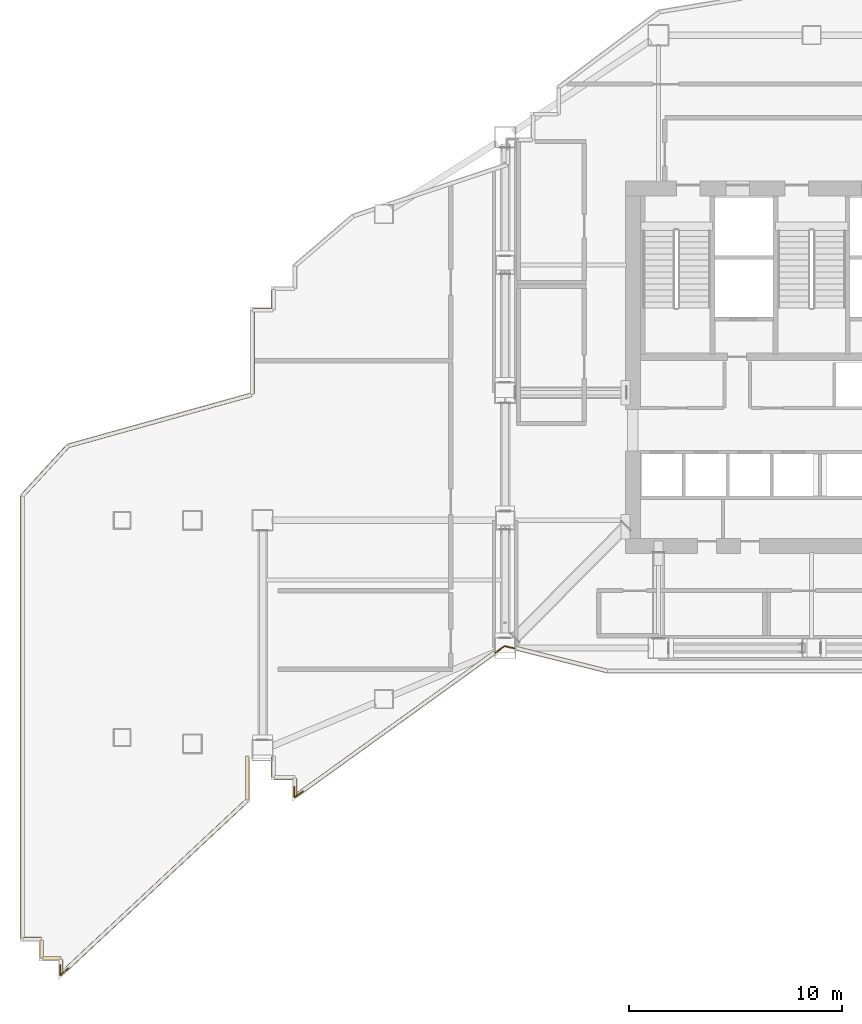
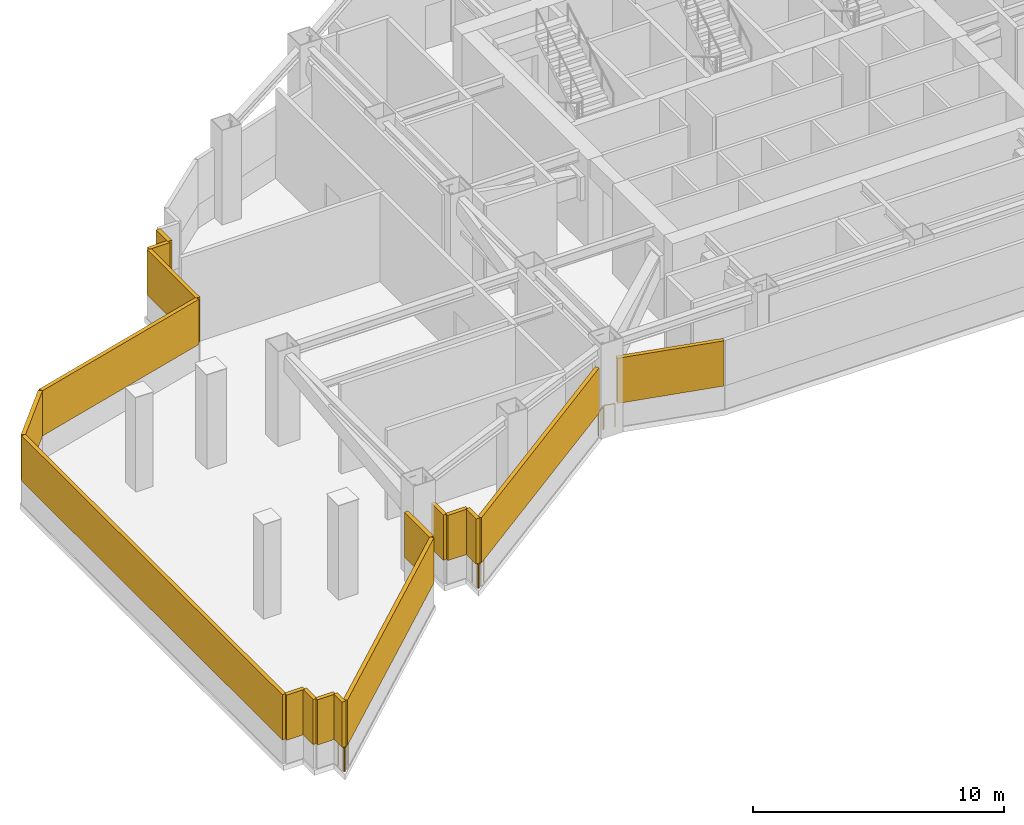
# One storey, part 18 of 24: 17 shading devices, 6 railings.
"""IFC4 building model written with IfcOpenShell, lengths in metres."""

import ifcopenshell
import ifcopenshell.guid

model = None  # the IFC model being written
_history = None  # IfcOwnerHistory: only IFC2X3 demands one
_inside = {}  # id of a spatial element -> (the spatial element, [elements in it])
_under = {}  # id of a project, library or spatial element -> (it, [spatial elements below it])
_declared = {}  # id of a project -> (the project, [libraries it declares])
_typed = {}  # id of a type object -> (the type object, [elements of that type])
_made_of = {}  # id of a material, layer set ... -> (it, [elements and type objects made of it])


def new_model(schema):
    """Start an empty IFC model of exactly this schema.

    Asked for "IFC4X3", IfcOpenShell would pick the latest addendum, in which some entities
    have other attributes; the version numbers below select the first issue.
    IFC2X3 requires an IfcOwnerHistory on every rooted entity: one is made here for all.
    """
    global model, _history
    if schema == "IFC4X3":
        model = ifcopenshell.file(schema_version=(4, 3, 0, 0))
    else:
        model = ifcopenshell.file(schema=schema)
    _inside.clear()
    _under.clear()
    _declared.clear()
    _typed.clear()
    _made_of.clear()
    _history = None
    if model.schema == "IFC2X3":
        org = make("IfcOrganization", Name="unknown")
        user = make(
            "IfcPersonAndOrganization",
            ThePerson=make("IfcPerson", FamilyName="unknown"),
            TheOrganization=org,
        )
        app = make(
            "IfcApplication",
            ApplicationDeveloper=org,
            Version="unknown",
            ApplicationFullName="unknown",
            ApplicationIdentifier="unknown",
        )
        _history = make(
            "IfcOwnerHistory",
            OwningUser=user,
            OwningApplication=app,
            ChangeAction="ADDED",
            CreationDate=0,
        )
    return model


def make(cls, **values):
    """One entity of the class cls with the attributes given. An attribute that is None is left unset."""
    return model.create_entity(
        cls, **{name: value for name, value in values.items() if value is not None}
    )


def rooted(cls, **values):
    """An entity with a GlobalId (a new one), such as an element, a storey or a relation."""
    return make(cls, GlobalId=ifcopenshell.guid.new(), OwnerHistory=_history, **values)


def si_unit(unit_type, name, prefix=None):
    """IfcSIUnit, for example si_unit("LENGTHUNIT", "METRE", prefix="MILLI")."""
    return make("IfcSIUnit", UnitType=unit_type, Prefix=prefix, Name=name)


def assignment(units):
    """IfcUnitAssignment: the units of a project."""
    return None if units is None else make("IfcUnitAssignment", Units=units)


def point(xyz):
    """IfcCartesianPoint."""
    return None if xyz is None else make("IfcCartesianPoint", Coordinates=xyz)


def direction(xyz):
    """IfcDirection."""
    return None if xyz is None else make("IfcDirection", DirectionRatios=xyz)


def frame(location, z_axis=None, x_axis=None):
    """IfcAxis2Placement3D, a coordinate frame: its origin and axes. An axis left out is left unset."""
    return make(
        "IfcAxis2Placement3D",
        Location=point(location),
        Axis=direction(z_axis),
        RefDirection=direction(x_axis),
    )


def frame_2d(location, x_axis=None):
    """IfcAxis2Placement2D, a coordinate frame in the plane: its origin and x axis."""
    return make(
        "IfcAxis2Placement2D", Location=point(location), RefDirection=direction(x_axis)
    )


def origin():
    """The frame at (0, 0, 0) with its axes left unset."""
    return frame((0.0, 0.0, 0.0))


def origin_2d():
    """The frame at (0, 0) in the plane with its x axis left unset."""
    return frame_2d((0.0, 0.0))


def place(relative_to, where):
    """IfcLocalPlacement: puts the frame where relative to a parent placement (None: the world)."""
    return make(
        "IfcLocalPlacement", PlacementRelTo=relative_to, RelativePlacement=where
    )


def context(
    kind, dimensions, precision=None, world=None, true_north=None, identifier=None
):
    """IfcGeometricRepresentationContext, for example the 3D "Model" context."""
    return make(
        "IfcGeometricRepresentationContext",
        ContextIdentifier=identifier,
        ContextType=kind,
        CoordinateSpaceDimension=dimensions,
        Precision=precision,
        WorldCoordinateSystem=world,
        TrueNorth=true_north,
    )


def subcontext(parent, identifier, kind, view, scale=None):
    """IfcGeometricRepresentationSubContext, for example "Body" below "Model"."""
    return make(
        "IfcGeometricRepresentationSubContext",
        ContextIdentifier=identifier,
        ContextType=kind,
        ParentContext=parent,
        TargetScale=scale,
        TargetView=view,
    )


def project(units=None, contexts=None):
    """IfcProject with its units and contexts."""
    return rooted(
        "IfcProject",
        Name="project",
        RepresentationContexts=contexts,
        UnitsInContext=assignment(units),
    )


def spatial(cls, under=None, at=None, **own):
    """A site, building, storey or space (cls), placed at a placement, below another one or the project."""
    s = rooted(cls, ObjectPlacement=at, **own)
    if under is not None:
        _under.setdefault(under.id(), (under, []))[1].append(s)
    return s


def profile(cls, at=None, kind="AREA", **sizes):
    """A parametric profile (cls). Its sizes go by their IFC names, for example OverallWidth=200.0."""
    return make(cls, ProfileType=kind, Position=at, **sizes)


def rectangle(**sizes):
    """IfcRectangleProfileDef."""
    return profile("IfcRectangleProfileDef", **sizes)


def circle(**sizes):
    """IfcCircleProfileDef."""
    return profile("IfcCircleProfileDef", **sizes)


def extrude(swept, where, along, depth):
    """IfcExtrudedAreaSolid: the profile swept, set in the frame where, extruded along a direction by depth."""
    return make(
        "IfcExtrudedAreaSolid",
        SweptArea=swept,
        Position=where,
        ExtrudedDirection=direction(along),
        Depth=depth,
    )


def shape(context_of_items, identifier, shape_type, items):
    """IfcShapeRepresentation: the items that make up one representation, for example the "Body"."""
    return make(
        "IfcShapeRepresentation",
        ContextOfItems=context_of_items,
        RepresentationIdentifier=identifier,
        RepresentationType=shape_type,
        Items=items,
    )


def material(Name=None, Category=None):
    """IfcMaterial."""
    return make("IfcMaterial", Name=Name, Category=Category)


def made_of(thing, what):
    """Note that an element or type object is made of a material, layer set ...; save() writes the relation."""
    if what is not None:
        _made_of.setdefault(what.id(), (what, []))[1].append(thing)
    return thing


def type_object(cls, material=None, **own):
    """A type object (cls), such as IfcWallType, which elements share."""
    return made_of(rooted(cls, **own), material)


def element(
    cls,
    number,
    at=None,
    inside=None,
    cuts=None,
    type_object=None,
    material=None,
    context=None,
    identifier="Body",
    shape_type=None,
    held_by="IfcProductDefinitionShape",
    body=None,
    shapes=None,
    **own,
):
    """One element of the class cls, such as IfcWall. Its Tag is "e" and its number.

    at: its placement. inside: the storey or other place that contains it. cuts: it is an
    opening in that element (IfcRelVoidsElement). A single representation is given by context,
    identifier, shape_type and body (its items); several are given by shapes. held_by: the class
    of the entity that holds the representations. save() writes the other relations.
    """
    e = rooted(cls, Tag="e%d" % number, ObjectPlacement=at, **own)
    if body is not None:
        shapes = [shape(context, identifier, shape_type, body)]
    if shapes is not None:
        e.Representation = make(held_by, Representations=shapes)
    if inside is not None:
        _inside.setdefault(inside.id(), (inside, []))[1].append(e)
    if cuts is not None:
        rooted(
            "IfcRelVoidsElement", RelatingBuildingElement=cuts, RelatedOpeningElement=e
        )
    if type_object is not None:
        _typed.setdefault(type_object.id(), (type_object, []))[1].append(e)
    return made_of(e, material)


def aggregate(whole, parts):
    """IfcRelAggregates: a whole, such as a stair, and the parts it consists of."""
    return rooted("IfcRelAggregates", RelatingObject=whole, RelatedObjects=parts)


def save(model, path):
    """Write the relations noted so far, then the file.

    IfcRelAggregates (storeys below a building ...), IfcRelContainedInSpatialStructure (elements
    in a storey), IfcRelDefinesByType, IfcRelAssociatesMaterial and IfcRelDeclares: one each for
    every whole, place, type object, material and project.
    """
    for whole, parts in _under.values():
        aggregate(whole, parts)
    for where, things in _inside.values():
        rooted(
            "IfcRelContainedInSpatialStructure",
            RelatedElements=things,
            RelatingStructure=where,
        )
    for kind, things in _typed.values():
        rooted("IfcRelDefinesByType", RelatedObjects=things, RelatingType=kind)
    for what, things in _made_of.values():
        rooted("IfcRelAssociatesMaterial", RelatedObjects=things, RelatingMaterial=what)
    for by, libraries in _declared.values():
        rooted("IfcRelDeclares", RelatingContext=by, RelatedDefinitions=libraries)
    model.write(path)


model = new_model("IFC4")

# Units and contexts
model_context = context("Model", 3, precision=1e-05, world=origin(), true_north=direction((0.0, 1.0)))
body_context = subcontext(model_context, "Body", "Model", "MODEL_VIEW")
ifc_project = project(units=[si_unit("LENGTHUNIT", "METRE"), si_unit("AREAUNIT", "SQUARE_METRE"), si_unit("VOLUMEUNIT", "CUBIC_METRE"), si_unit("PLANEANGLEUNIT", "RADIAN"), si_unit("MASSUNIT", "GRAM", prefix="KILO")], contexts=[model_context])

# Site, building, storey
site_placement = place(None, origin())
site = spatial("IfcSite", under=ifc_project, at=site_placement, CompositionType="ELEMENT")
building_placement = place(site_placement, origin())
building = spatial("IfcBuilding", under=site, at=building_placement, Name="Haolan Belvedere Tower", CompositionType="ELEMENT")
storey_placement = place(building_placement, frame((0.0, 0.0, 160.0)))
storey = spatial("IfcBuildingStorey", under=building, at=storey_placement, Name="L40", CompositionType="ELEMENT", Elevation=160.0)

# Railings
ifc_material_1 = material(Name="Galvanised powder-coated steel guardrail", Category="steel")
railing_type = type_object("IfcRailingType", Name="RL-REF-GRD-1150", PredefinedType="GUARDRAIL", material=ifc_material_1)
railing_1_placement = place(storey_placement, frame((14.495849609375, 14.867919921875, 0.0)))
element("IfcRailing", 1, at=railing_1_placement, inside=storey, type_object=railing_type, Name="L40 refuge corner safety guardrail 1A", PredefinedType="GUARDRAIL", context=body_context, shape_type="SweptSolid", body=[
    extrude(circle(Radius=0.02392578125, at=origin_2d()), frame((0.0, 0.0, 1.1259765625), z_axis=(-0.811622975054, -0.584181603925, 0.0), x_axis=(0.584181603925, -0.811622975054, 0.0)), (0.0, 0.0, 1.0), 0.47021484375),
    extrude(circle(Radius=0.02099609375, at=origin_2d()), origin(), (0.0, 0.0, 1.0), 1.101806640625),
    extrude(circle(Radius=0.02099609375, at=origin_2d()), frame((-0.381591796875, -0.274658203125, 0.0)), (0.0, 0.0, 1.0), 1.101806640625),
])
railing_2_placement = place(storey_placement, frame((14.090087890625, 14.605712890625, 0.0)))
element("IfcRailing", 2, at=railing_2_placement, inside=storey, type_object=railing_type, Name="L40 refuge corner safety guardrail 1B", PredefinedType="GUARDRAIL", context=body_context, shape_type="SweptSolid", body=[
    extrude(circle(Radius=0.02392578125, at=origin_2d()), frame((0.0, 0.0, 1.1259765625), z_axis=(0.0, 1.0, 0.0), x_axis=(-1.0, 0.0, 0.0)), (0.0, 0.0, 1.0), 0.469970703125),
    extrude(circle(Radius=0.02099609375, at=origin_2d()), origin(), (0.0, 0.0, 1.0), 1.101806640625),
    extrude(circle(Radius=0.02099609375, at=origin_2d()), frame((0.0, 0.469970703125, 0.0)), (0.0, 0.0, 1.0), 1.101806640625),
])
railing_3_placement = place(storey_placement, frame((24.42578125, 21.586181640625, 0.0)))
element("IfcRailing", 3, at=railing_3_placement, inside=storey, type_object=railing_type, Name="L40 refuge corner safety guardrail 2A", PredefinedType="GUARDRAIL", context=body_context, shape_type="SweptSolid", body=[
    extrude(circle(Radius=0.02392578125, at=origin_2d()), frame((0.0, 0.0, 1.1259765625), z_axis=(-0.974532291101, 0.224247215372, 0.0), x_axis=(-0.224247215372, -0.974532291101, 0.0)), (0.0, 0.0, 1.0), 0.466064453125),
    extrude(circle(Radius=0.02099609375, at=origin_2d()), origin(), (0.0, 0.0, 1.0), 1.101806640625),
    extrude(circle(Radius=0.02099609375, at=origin_2d()), frame((-0.4541015625, 0.1044921875, 0.0)), (0.0, 0.0, 1.0), 1.101806640625),
])
railing_4_placement = place(storey_placement, frame((23.923095703125, 21.655517578125, 0.0)))
element("IfcRailing", 4, at=railing_4_placement, inside=storey, type_object=railing_type, Name="L40 refuge corner safety guardrail 2B", PredefinedType="GUARDRAIL", context=body_context, shape_type="SweptSolid", body=[
    extrude(circle(Radius=0.02392578125, at=origin_2d()), frame((0.0, 0.0, 1.1259765625), z_axis=(-0.811622975054, -0.584181603925, 0.0), x_axis=(0.584181603925, -0.811622975054, 0.0)), (0.0, 0.0, 1.0), 0.47021484375),
    extrude(circle(Radius=0.02099609375, at=origin_2d()), origin(), (0.0, 0.0, 1.0), 1.101806640625),
    extrude(circle(Radius=0.02099609375, at=origin_2d()), frame((-0.381591796875, -0.274658203125, 0.0)), (0.0, 0.0, 1.0), 1.101806640625),
])
railing_5_placement = place(storey_placement, frame((3.45556640625, 6.54833984375, 0.0)))
element("IfcRailing", 5, at=railing_5_placement, inside=storey, type_object=railing_type, Name="L40 refuge corner safety guardrail 8A", PredefinedType="GUARDRAIL", context=body_context, shape_type="SweptSolid", body=[
    extrude(circle(Radius=0.02392578125, at=origin_2d()), frame((0.0, 0.0, 1.1259765625), z_axis=(-0.731089801078, -0.682281249017, 0.0), x_axis=(0.682281249017, -0.731089801078, 0.0)), (0.0, 0.0, 1.0), 0.47021484375),
    extrude(circle(Radius=0.02099609375, at=origin_2d()), origin(), (0.0, 0.0, 1.0), 1.101806640625),
    extrude(circle(Radius=0.02099609375, at=origin_2d()), frame((-0.34375, -0.32080078125, 0.0)), (0.0, 0.0, 1.0), 1.101806640625),
])
railing_6_placement = place(storey_placement, frame((3.090087890625, 6.237060546875, 0.0)))
element("IfcRailing", 6, at=railing_6_placement, inside=storey, type_object=railing_type, Name="L40 refuge corner safety guardrail 8B", PredefinedType="GUARDRAIL", context=body_context, shape_type="SweptSolid", body=[
    extrude(circle(Radius=0.02392578125, at=origin_2d()), frame((0.0, 0.0, 1.1259765625), z_axis=(0.0, 1.0, 0.0), x_axis=(-1.0, 0.0, 0.0)), (0.0, 0.0, 1.0), 0.469970703125),
    extrude(circle(Radius=0.02099609375, at=origin_2d()), origin(), (0.0, 0.0, 1.0), 1.101806640625),
    extrude(circle(Radius=0.02099609375, at=origin_2d()), frame((0.0, 0.469970703125, 0.0)), (0.0, 0.0, 1.0), 1.101806640625),
])

# Shading devices
ifc_material_2 = material(Name="Anodised champagne-silver aluminium 6063-T6", Category="aluminium")
shading_device_type = type_object("IfcShadingDeviceType", Name="SHD-LOUV-180", PredefinedType="JALOUSIE", material=ifc_material_2)
shading_device_1_placement = place(storey_placement, frame((13.1201171875, 16.02001953125, 1.14990234375), z_axis=(0.0, 0.0, 1.0), x_axis=(0.0, -1.0, 0.0)))
element("IfcShadingDevice", 7, at=shading_device_1_placement, inside=storey, type_object=shading_device_type, Name="L40 refuge storm-proof louvre bank 2.1", PredefinedType="JALOUSIE", context=body_context, shape_type="SweptSolid", body=[
    extrude(rectangle(XDim=0.9599609375, YDim=0.179931640625, at=origin_2d()), origin(), (0.0, 0.0, 1.0), 2.199951171875),
])
shading_device_2_placement = place(storey_placement, frame((13.635009765625, 15.52001953125, 1.14990234375), z_axis=(0.0, 0.0, 1.0), x_axis=(1.0, 0.0, 0.0)))
element("IfcShadingDevice", 8, at=shading_device_2_placement, inside=storey, type_object=shading_device_type, Name="L40 refuge storm-proof louvre bank 3.1", PredefinedType="JALOUSIE", context=body_context, shape_type="SweptSolid", body=[
    extrude(rectangle(XDim=0.929931640625, YDim=0.179931640625, at=origin_2d()), origin(), (0.0, 0.0, 1.0), 2.199951171875),
])
shading_device_3_placement = place(storey_placement, frame((14.1201171875, 15.06201171875, 1.14990234375), z_axis=(0.0, 0.0, 1.0), x_axis=(0.0, -1.0, 0.0)))
element("IfcShadingDevice", 9, at=shading_device_3_placement, inside=storey, type_object=shading_device_type, Name="L40 refuge storm-proof louvre bank 4.1", PredefinedType="JALOUSIE", context=body_context, shape_type="SweptSolid", body=[
    extrude(rectangle(XDim=0.815673828125, YDim=0.179931640625, at=origin_2d()), origin(), (0.0, 0.0, 1.0), 2.199951171875),
])
shading_device_4_placement = place(storey_placement, frame((18.8505859375, 18.040283203125, 1.14990234375), z_axis=(0.0, 0.0, 1.0), x_axis=(0.811543389612, 0.584292158751, 0.0)))
element("IfcShadingDevice", 10, at=shading_device_4_placement, inside=storey, type_object=shading_device_type, Name="L40 refuge storm-proof louvre bank 5.1", PredefinedType="JALOUSIE", context=body_context, shape_type="SweptSolid", body=[
    extrude(rectangle(XDim=11.438232421875, YDim=0.179931640625, at=origin_2d()), origin(), (0.0, 0.0, 1.0), 2.199951171875),
])
shading_device_5_placement = place(storey_placement, frame((26.6533203125, 21.060302734375, 1.14990234375), z_axis=(0.0, 0.0, 1.0), x_axis=(0.970143530747, -0.242531502591, 0.0)))
element("IfcShadingDevice", 11, at=shading_device_5_placement, inside=storey, type_object=shading_device_type, Name="L40 refuge storm-proof louvre bank 6.1", PredefinedType="JALOUSIE", context=body_context, shape_type="SweptSolid", body=[
    extrude(rectangle(XDim=4.415771484375, YDim=0.179931640625, at=origin_2d()), origin(), (0.0, 0.0, 1.0), 2.199951171875),
])
for number, where, z_axis, x_axis, name in (
    (12, (13.1201171875, 37.965087890625, 1.14990234375), (0.0, 0.0, 1.0), (0.0, -1.0, 0.0), "L40 refuge storm-proof louvre bank 39.1"),
    (13, (12.60498046875, 37.47998046875, 1.14990234375), (0.0, 0.0, 1.0), (-1.0, 0.0, 0.0), "L40 refuge storm-proof louvre bank 40.1"),
):
    element("IfcShadingDevice", number, at=place(storey_placement, frame(where, z_axis=z_axis, x_axis=x_axis)), inside=storey, type_object=shading_device_type, Name=name, PredefinedType="JALOUSIE", context=body_context, shape_type="SweptSolid", body=[
        extrude(rectangle(XDim=0.929931640625, YDim=0.179931640625, at=origin_2d()), origin(), (0.0, 0.0, 1.0), 2.199951171875),
    ])
shading_device_6_placement = place(storey_placement, frame((12.1201171875, 35.4794921875, 1.14990234375), z_axis=(0.0, 0.0, 1.0), x_axis=(0.0, -1.0, 0.0)))
element("IfcShadingDevice", 14, at=shading_device_6_placement, inside=storey, type_object=shading_device_type, Name="L40 refuge storm-proof louvre bank 41.1", PredefinedType="JALOUSIE", context=body_context, shape_type="SweptSolid", body=[
    extrude(rectangle(XDim=3.901123046875, YDim=0.179931640625, at=origin_2d()), origin(), (0.0, 0.0, 1.0), 2.199951171875),
])
shading_device_7_placement = place(storey_placement, frame((7.7783203125, 32.297119140625, 1.14990234375), z_axis=(0.0, 0.0, 1.0), x_axis=(-0.963195414363, -0.268802146102, 0.0)))
element("IfcShadingDevice", 15, at=shading_device_7_placement, inside=storey, type_object=shading_device_type, Name="L40 refuge storm-proof louvre bank 42.1", PredefinedType="JALOUSIE", context=body_context, shape_type="SweptSolid", body=[
    extrude(rectangle(XDim=8.915283203125, YDim=0.179931640625, at=origin_2d()), origin(), (0.0, 0.0, 1.0), 2.199951171875),
])
shading_device_8_placement = place(storey_placement, frame((2.392578125, 29.92333984375, 1.14990234375), z_axis=(0.0, 0.0, 1.0), x_axis=(-0.675731742251, -0.737147619215, 0.0)))
element("IfcShadingDevice", 16, at=shading_device_8_placement, inside=storey, type_object=shading_device_type, Name="L40 refuge storm-proof louvre bank 43.1", PredefinedType="JALOUSIE", context=body_context, shape_type="SweptSolid", body=[
    extrude(rectangle(XDim=3.134765625, YDim=0.179931640625, at=origin_2d()), origin(), (0.0, 0.0, 1.0), 2.199951171875),
])
shading_device_9_placement = place(storey_placement, frame((1.320068359375, 18.336669921875, 1.14990234375), z_axis=(0.0, 0.0, 1.0), x_axis=(0.0, -1.0, 0.0)))
element("IfcShadingDevice", 17, at=shading_device_9_placement, inside=storey, type_object=shading_device_type, Name="L40 refuge storm-proof louvre bank 44.1", PredefinedType="JALOUSIE", context=body_context, shape_type="SweptSolid", body=[
    extrude(rectangle(XDim=20.793212890625, YDim=0.179931640625, at=origin_2d()), origin(), (0.0, 0.0, 1.0), 2.199951171875),
])
for number, where, z_axis, x_axis, name in (
    (18, (1.784912109375, 7.919921875, 1.14990234375), (0.0, 0.0, 1.0), (1.0, 0.0, 0.0), "L40 refuge storm-proof louvre bank 45.1"),
    (19, (2.219970703125, 7.455078125, 1.14990234375), (0.0, 0.0, 1.0), (0.0, -1.0, 0.0), "L40 refuge storm-proof louvre bank 46.1"),
    (20, (2.68505859375, 7.02001953125, 1.14990234375), (0.0, 0.0, 1.0), (1.0, 0.0, 0.0), "L40 refuge storm-proof louvre bank 47.1"),
):
    element("IfcShadingDevice", number, at=place(storey_placement, frame(where, z_axis=z_axis, x_axis=x_axis)), inside=storey, type_object=shading_device_type, Name=name, PredefinedType="JALOUSIE", context=body_context, shape_type="SweptSolid", body=[
        extrude(rectangle(XDim=0.830078125, YDim=0.179931640625, at=origin_2d()), origin(), (0.0, 0.0, 1.0), 2.199951171875),
    ])
shading_device_10_placement = place(storey_placement, frame((3.1201171875, 6.633056640625, 1.14990234375), z_axis=(0.0, 0.0, 1.0), x_axis=(0.0, -1.0, 0.0)))
element("IfcShadingDevice", 21, at=shading_device_10_placement, inside=storey, type_object=shading_device_type, Name="L40 refuge storm-proof louvre bank 48.1", PredefinedType="JALOUSIE", context=body_context, shape_type="SweptSolid", body=[
    extrude(rectangle(XDim=0.673828125, YDim=0.179931640625, at=origin_2d()), origin(), (0.0, 0.0, 1.0), 2.199951171875),
])
shading_device_11_placement = place(storey_placement, frame((7.5439453125, 10.405029296875, 1.14990234375), z_axis=(0.0, 0.0, 1.0), x_axis=(0.731056054087, 0.682317408383, 0.0)))
element("IfcShadingDevice", 22, at=shading_device_11_placement, inside=storey, type_object=shading_device_type, Name="L40 refuge storm-proof louvre bank 49.1", PredefinedType="JALOUSIE", context=body_context, shape_type="SweptSolid", body=[
    extrude(rectangle(XDim=11.82275390625, YDim=0.179931640625, at=origin_2d()), origin(), (0.0, 0.0, 1.0), 2.199951171875),
])
shading_device_12_placement = place(storey_placement, frame((11.8798828125, 15.486083984375, 1.14990234375), z_axis=(0.0, 0.0, 1.0), x_axis=(0.0, 1.0, 0.0)))
element("IfcShadingDevice", 23, at=shading_device_12_placement, inside=storey, type_object=shading_device_type, Name="L40 refuge storm-proof louvre bank 50.1", PredefinedType="JALOUSIE", context=body_context, shape_type="SweptSolid", body=[
    extrude(rectangle(XDim=2.02783203125, YDim=0.179931640625, at=origin_2d()), origin(), (0.0, 0.0, 1.0), 2.199951171875),
])

save(model, "model.ifc")
